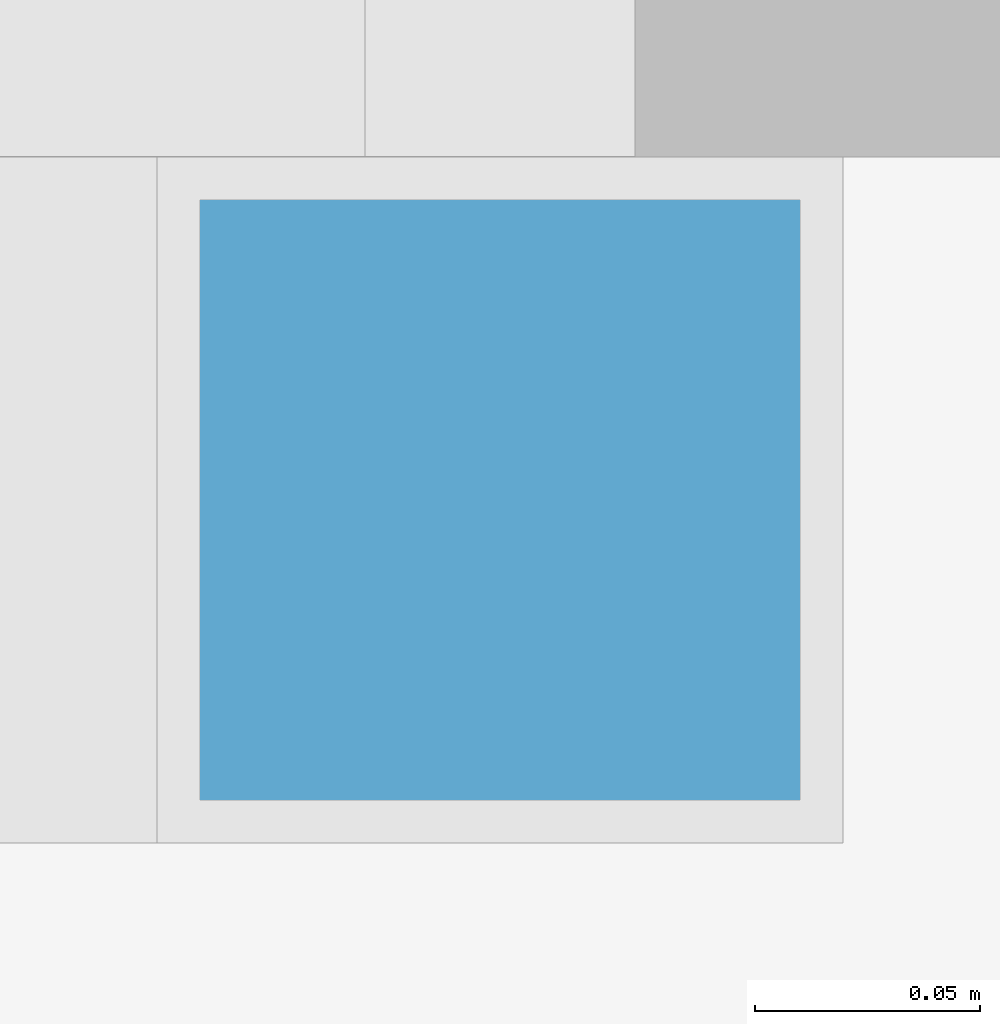
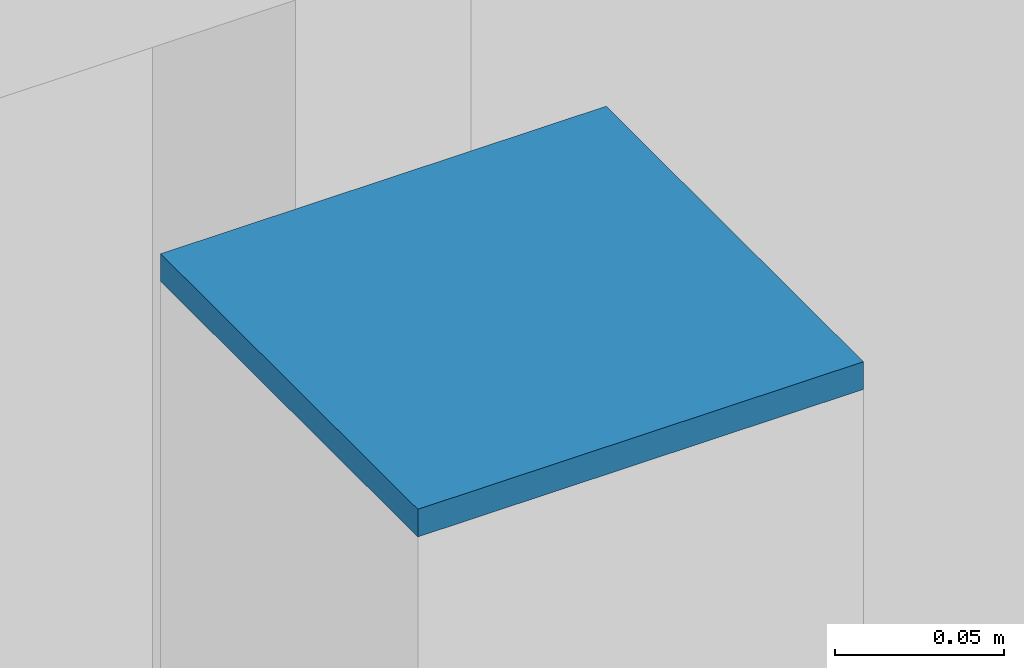
# One storey, part 65 of 93: 1 discrete accessory.
"""IFC4 building model written with IfcOpenShell, lengths in metres."""

from ifc_helpers import new_model, si_unit, direction, frame, origin, origin_2d, place, context, subcontext, project, spatial, rectangle, extrude, material, material_profile, profile_set, type_object, element, save


model = new_model("IFC4")

# Units and contexts
model_context = context("Model", 3, precision=1e-05, world=origin(), true_north=direction((0.0, 1.0)))
body_context = subcontext(model_context, "Body", "Model", "MODEL_VIEW")
ifc_project = project(units=[si_unit("LENGTHUNIT", "METRE"), si_unit("AREAUNIT", "SQUARE_METRE"), si_unit("VOLUMEUNIT", "CUBIC_METRE"), si_unit("PLANEANGLEUNIT", "RADIAN"), si_unit("MASSUNIT", "GRAM", prefix="KILO")], contexts=[model_context])

# Site, building, storey
site_placement = place(None, origin())
site = spatial("IfcSite", under=ifc_project, at=site_placement, CompositionType="ELEMENT")
building_placement = place(site_placement, origin())
building = spatial("IfcBuilding", under=site, at=building_placement, Name="Verrick Yard Athletic Hall", CompositionType="ELEMENT")
storey_placement = place(building_placement, frame((0.0, 0.0, 8.800048828125)))
storey = spatial("IfcBuildingStorey", under=building, at=storey_placement, Name="L02", CompositionType="ELEMENT", Elevation=8.800048828125)

# Discrete accessory
ifc_material = material(Name="Structural steel 350W (CSA G40.21)", Category="steel")
ifc_material_profile = material_profile(ifc_material, rectangle(XDim=0.15234375, YDim=0.15234375, at=origin_2d()), Name="STR End cap plate 152x152x9.5")
ifc_profile_set = profile_set([ifc_material_profile], Name="Structural steel 350W (CSA G40.21)")
discrete_accessory_type = type_object("IfcDiscreteAccessoryType", Name="STR End cap plate 152x152x9.5", PredefinedType="BRACKET", material=ifc_profile_set)
discrete_accessory_placement = place(storey_placement, frame((76.0, 107.50537109375, 5.054443359375), z_axis=(0.0, 0.0, 1.0), x_axis=(1.0, 0.0, 0.0)))
element("IfcDiscreteAccessory", 1, at=discrete_accessory_placement, inside=storey, type_object=discrete_accessory_type, Name="End cap HB-GP-BN-8 B", PredefinedType="BRACKET", context=body_context, shape_type="SweptSolid", body=[
    extrude(rectangle(XDim=0.15234375, YDim=0.15234375, at=origin_2d()), origin(), (0.0, 0.0, 1.0), 0.010009765625),
])

save(model, "model.ifc")
